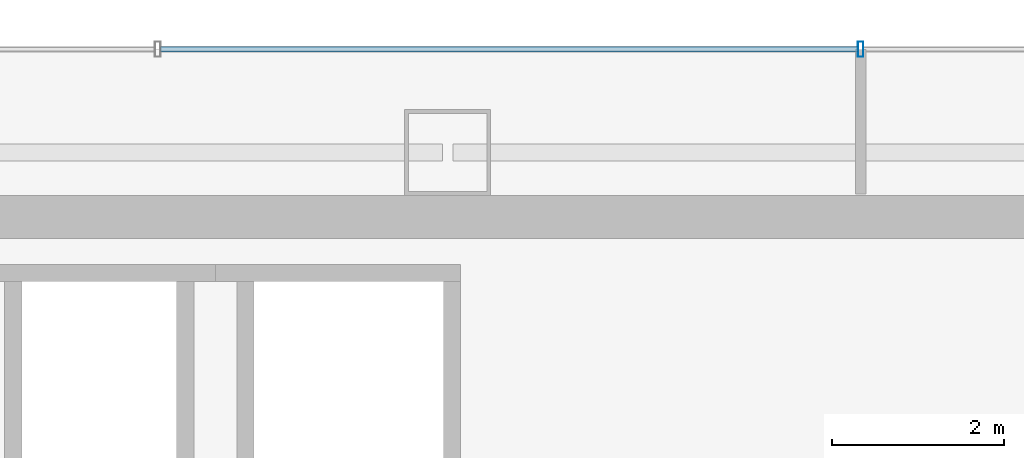
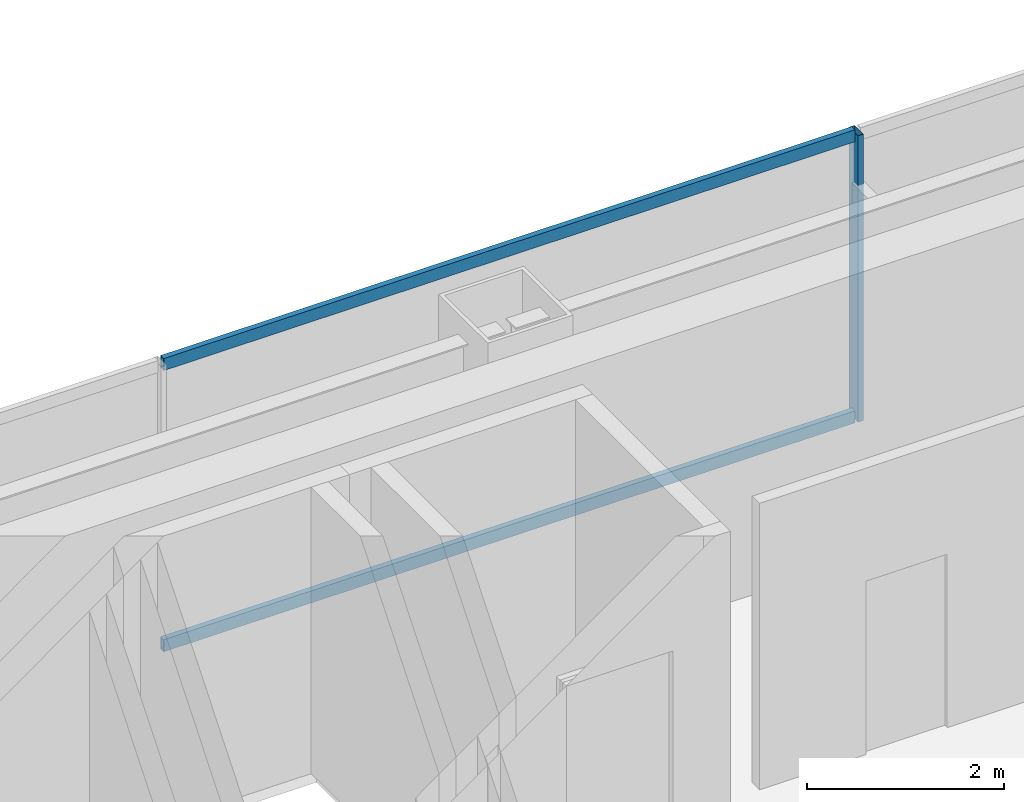
# One storey, part 27 of 40: 3 members, 1 element without a shape of its own.
"""IFC4 building model written with IfcOpenShell, lengths in metres."""

from ifc_helpers import new_model, si_unit, direction, frame, origin, origin_2d, place, context, subcontext, project, spatial, hollow_rectangle, extrude, material, material_profile, profile_set, type_object, element, aggregate, save


model = new_model("IFC4")

# Units and contexts
model_context = context("Model", 3, precision=1e-05, world=origin(), true_north=direction((0.0, 1.0)))
body_context = subcontext(model_context, "Body", "Model", "MODEL_VIEW")
ifc_project = project(units=[si_unit("LENGTHUNIT", "METRE"), si_unit("AREAUNIT", "SQUARE_METRE"), si_unit("VOLUMEUNIT", "CUBIC_METRE"), si_unit("PLANEANGLEUNIT", "RADIAN"), si_unit("MASSUNIT", "GRAM", prefix="KILO")], contexts=[model_context])

# Site, building, storey
site_placement = place(None, origin())
site = spatial("IfcSite", under=ifc_project, at=site_placement, CompositionType="ELEMENT")
building_placement = place(site_placement, origin())
building = spatial("IfcBuilding", under=site, at=building_placement, Name="Saevonmaru Cultural Tower", CompositionType="ELEMENT")
storey_placement = place(building_placement, frame((0.0, 0.0, 129.60009765625)))
storey = spatial("IfcBuildingStorey", under=building, at=storey_placement, Name="L27", CompositionType="ELEMENT", Elevation=129.60009765625)

# Curtain wall, members
ifc_material = material(Name="Satin Bronze Anodised Aluminium", Category="aluminium")
curtain_wall_type = type_object("IfcCurtainWallType", Name="CW-SKY-GLZ", PredefinedType="NOTDEFINED", material=ifc_material)
curtain_wall_placement = place(storey_placement, origin())
curtain_wall = element("IfcCurtainWall", 1, at=curtain_wall_placement, inside=storey, type_object=curtain_wall_type, Name="L27 North Spine Unitised Curtain Wall E10B", PredefinedType="NOTDEFINED")
ifc_material_profile_1 = material_profile(ifc_material, hollow_rectangle(XDim=0.06494140625, YDim=0.179931640625, WallThickness=0.00390625, at=origin_2d()), Name="ALU-MULL-180x65x4")
ifc_profile_set_1 = profile_set([ifc_material_profile_1], Name="Satin Bronze Anodised Aluminium")
member_type_1 = type_object("IfcMemberType", Name="ML-CW-180x65", PredefinedType="MULLION", material=ifc_profile_set_1)
member_1_placement = place(storey_placement, frame((30.0, 56.0, 0.0), z_axis=(0.0, 0.0, 1.0), x_axis=(-1.0, 0.0, 0.0)))
member_1 = element("IfcMember", 2, at=member_1_placement, type_object=member_type_1, Name="CW-TW-L27-E10B mullion 3", PredefinedType="MULLION", context=body_context, shape_type="SweptSolid", body=[
    extrude(hollow_rectangle(XDim=0.06494140625, YDim=0.179931640625, WallThickness=0.00390625, at=origin_2d()), origin(), (0.0, 0.0, 1.0), 3.5498046875),
])
ifc_material_profile_2 = material_profile(ifc_material, hollow_rectangle(XDim=0.06494140625, YDim=0.14990234375, WallThickness=0.00390625, at=origin_2d()), Name="ALU-TRAN-150x65x4")
ifc_profile_set_2 = profile_set([ifc_material_profile_2], Name="Satin Bronze Anodised Aluminium")
member_type_2 = type_object("IfcMemberType", Name="TR-CW-150x65", PredefinedType="USERDEFINED", material=ifc_profile_set_2)
member_2_placement = place(storey_placement, frame((29.967529296875, 56.0, 0.032470703125), z_axis=(-1.0, 0.0, 0.0), x_axis=(0.0, -1.0, 0.0)))
member_2 = element("IfcMember", 3, at=member_2_placement, type_object=member_type_2, Name="CW-TW-L27-E10B transom 3.1", ObjectType="TRANSOM", PredefinedType="USERDEFINED", context=body_context, shape_type="SweptSolid", body=[
    extrude(hollow_rectangle(XDim=0.06494140625, YDim=0.14990234375, WallThickness=0.00390625, at=origin_2d()), origin(), (0.0, 0.0, 1.0), 8.10498046875),
])
member_3_placement = place(storey_placement, frame((29.967529296875, 56.0, 3.517333984375), z_axis=(-1.0, 0.0, 0.0), x_axis=(0.0, -1.0, 0.0)))
member_3 = element("IfcMember", 4, at=member_3_placement, type_object=member_type_2, Name="CW-TW-L27-E10B transom 3.2", ObjectType="TRANSOM", PredefinedType="USERDEFINED", context=body_context, shape_type="SweptSolid", body=[
    extrude(hollow_rectangle(XDim=0.06494140625, YDim=0.14990234375, WallThickness=0.00390625, at=origin_2d()), origin(), (0.0, 0.0, 1.0), 8.10498046875),
])
aggregate(curtain_wall, [member_1, member_2, member_3])

save(model, "model.ifc")
